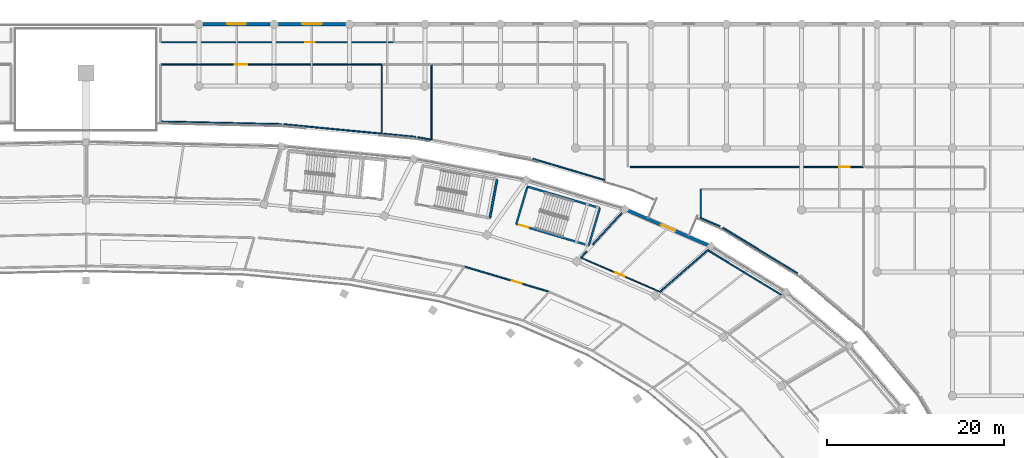
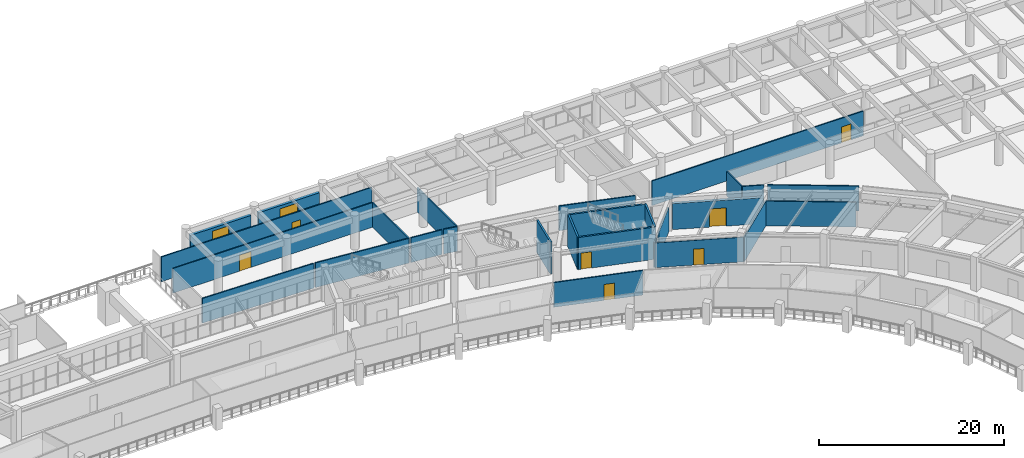
# One storey, part 108 of 141: 27 walls, 7 doors, 2 windows, 9 openings.
"""IFC4 building model written with IfcOpenShell, lengths in metres."""

from ifc_helpers import new_model, si_unit, direction, frame, frame_2d, origin, place, context, subcontext, project, spatial, rectangle, extrude, material, layer, layer_set, type_object, element, fill, save


model = new_model("IFC4")

# Units and contexts
model_context = context("Model", 3, precision=1e-05, world=origin(), true_north=direction((0.0, 1.0)))
body_context = subcontext(model_context, "Body", "Model", "MODEL_VIEW")
ifc_project = project(units=[si_unit("LENGTHUNIT", "METRE"), si_unit("AREAUNIT", "SQUARE_METRE"), si_unit("VOLUMEUNIT", "CUBIC_METRE"), si_unit("PLANEANGLEUNIT", "RADIAN"), si_unit("MASSUNIT", "GRAM", prefix="KILO")], contexts=[model_context])

# Site, building, storey
site_placement = place(None, origin())
site = spatial("IfcSite", under=ifc_project, at=site_placement, CompositionType="ELEMENT")
building_placement = place(site_placement, origin())
building = spatial("IfcBuilding", under=site, at=building_placement, Name="Mphavela Belvedere Stadium", CompositionType="ELEMENT")
storey_placement = place(building_placement, frame((0.0, 0.0, 14.699951171875)))
storey = spatial("IfcBuildingStorey", under=building, at=storey_placement, Name="L03", CompositionType="ELEMENT", Elevation=14.699951171875)

# Walls
ifc_material_1 = material(Name="Concrete C40/50", Category="concrete")
ifc_layer_1 = layer(ifc_material_1, 0.219970703125)
ifc_layer_set_1 = layer_set([ifc_layer_1], Name="Concrete C40/50")
wall_type_1 = type_object("IfcWallType", Name="WAL-CORE-SHEAR-220", PredefinedType="SHEAR", material=ifc_layer_set_1)
wall_1_placement = place(storey_placement, frame((164.917724609375, 155.643798828125, 0.0), z_axis=(0.0, 0.0, 1.0), x_axis=(0.958675743706, -0.284500998997, 0.0)))
element("IfcWall", 1, at=wall_1_placement, inside=storey, type_object=wall_type_1, Name="Core P01 shear wall L03 rear", PredefinedType="SHEAR", context=body_context, shape_type="SweptSolid", body=[
    extrude(rectangle(XDim=8.540283203125, YDim=0.219970703125, at=frame_2d((4.27001953125, 0.0))), origin(), (0.0, 0.0, 1.0), 4.25),
])
wall_2_placement = place(storey_placement, frame((163.6630859375, 151.416015625, 0.0), z_axis=(0.0, 0.0, 1.0), x_axis=(0.284497328872, 0.958676832861, 0.0)))
element("IfcWall", 2, at=wall_2_placement, inside=storey, type_object=wall_type_1, Name="Core P01 shear wall L03 left", PredefinedType="SHEAR", context=body_context, shape_type="SweptSolid", body=[
    extrude(rectangle(XDim=4.409912109375, YDim=0.219970703125, at=frame_2d((2.205078125, 0.0))), origin(), (0.0, 0.0, 1.0), 4.25),
])
wall_3_placement = place(storey_placement, frame((171.85009765625, 148.986083984375, 0.0), z_axis=(0.0, 0.0, 1.0), x_axis=(0.284533106789, 0.958666214665, 0.0)))
element("IfcWall", 3, at=wall_3_placement, inside=storey, type_object=wall_type_1, Name="Core P01 shear wall L03 right", PredefinedType="SHEAR", context=body_context, shape_type="SweptSolid", body=[
    extrude(rectangle(XDim=4.410400390625, YDim=0.219970703125, at=frame_2d((2.205078125, 0.0))), origin(), (0.0, 0.0, 1.0), 4.25),
])

# Wall, opening, door
wall_4_placement = place(storey_placement, frame((163.6630859375, 151.416015625, 0.0), z_axis=(0.0, 0.0, 1.0), x_axis=(0.958665631999, -0.284535069937, 0.0)))
wall_4 = element("IfcWall", 4, at=wall_4_placement, inside=storey, type_object=wall_type_1, Name="Core P01 shear wall L03 front", PredefinedType="SHEAR", context=body_context, shape_type="SweptSolid", body=[
    extrude(rectangle(XDim=8.5400390625, YDim=0.219970703125, at=frame_2d((4.27001953125, 0.0))), origin(), (0.0, 0.0, 1.0), 4.25),
])
opening_1_placement = place(wall_4_placement, frame((0.300048828125, 0.0, 0.0)))
opening_1 = element("IfcOpeningElement", 5, at=opening_1_placement, cuts=wall_4, Name="Opening SD-070", PredefinedType="OPENING", context=body_context, shape_type="SweptSolid", body=[
    extrude(rectangle(XDim=1.14990234375, YDim=2.14990234375, at=frame_2d((0.574951171875, 1.074951171875))), frame((0.0, 0.1201171875, 0.0), z_axis=(0.0, -1.0, 0.0), x_axis=(1.0, 0.0, 0.0)), (0.0, 0.0, 1.0), 0.239990234375),
])
ifc_material_2 = material(Name="Steel acoustic fire-resisting stair doorset", Category="steel")
door_type_1 = type_object("IfcDoorType", Name="DR-STAIR-FIRE-1150", OperationType="NOTDEFINED", PredefinedType="DOOR", material=ifc_material_2)
door_1_placement = place(opening_1_placement, origin())
door_1 = element("IfcDoor", 6, at=door_1_placement, inside=storey, type_object=door_type_1, Name="Escape stair fire door P01 L03", OperationType="SINGLE_SWING_RIGHT", OverallHeight=2.14990234375, OverallWidth=1.14990234375, PredefinedType="DOOR", context=body_context, shape_type="SweptSolid", body=[
    extrude(rectangle(XDim=1.14990234375, YDim=2.14990234375, at=frame_2d((0.574951171875, 1.074951171875))), frame((0.0, 0.02490234375, 0.0), z_axis=(0.0, -1.0, 0.0), x_axis=(1.0, 0.0, 0.0)), (0.0, 0.0, 1.0), 0.050048828125),
])
fill(opening_1, door_1)

# Wall
wall_5_placement = place(storey_placement, frame((160.674072265625, 152.1025390625, 0.0), z_axis=(0.0, 0.0, 1.0), x_axis=(0.183078394814, 0.983098317236, 0.0)))
element("IfcWall", 7, at=wall_5_placement, inside=storey, type_object=wall_type_1, Name="Core P02 shear wall L03 right", PredefinedType="SHEAR", context=body_context, shape_type="SweptSolid", body=[
    extrude(rectangle(XDim=4.409912109375, YDim=0.219970703125, at=frame_2d((2.205078125, 0.0))), origin(), (0.0, 0.0, 1.0), 4.25),
])

# Wall, opening, door
ifc_material_3 = material(Name="Honed ashlar limestone masonry", Category="masonry")
ifc_layer_2 = layer(ifc_material_3, 0.35009765625)
ifc_layer_set_2 = layer_set([ifc_layer_2], Name="Honed ashlar limestone masonry")
wall_type_2 = type_object("IfcWallType", Name="WAL-EXT-ASHLAR-350", PredefinedType="STANDARD", material=ifc_layer_set_2)
wall_6_placement = place(storey_placement, frame((176.27978515625, 152.94287109375, 0.0), z_axis=(0.0, 0.0, 1.0), x_axis=(0.917502782842, -0.397729359587, 0.0)))
wall_6 = element("IfcWall", 8, at=wall_6_placement, inside=storey, type_object=wall_type_2, Name="Classical link portal wall L03-08", PredefinedType="STANDARD", context=body_context, shape_type="SweptSolid", body=[
    extrude(rectangle(XDim=9.89013671875, YDim=0.35009765625, at=frame_2d((4.945068359375, 0.0))), origin(), (0.0, 0.0, 1.0), 3.420166015625),
])
opening_2_placement = place(wall_6_placement, frame((4.045166015625, 0.0, 0.0)))
opening_2 = element("IfcOpeningElement", 9, at=opening_2_placement, cuts=wall_6, Name="Opening ID-9307", PredefinedType="OPENING", context=body_context, shape_type="SweptSolid", body=[
    extrude(rectangle(XDim=1.800048828125, YDim=2.39990234375, at=frame_2d((0.89990234375, 1.199951171875))), frame((0.0, 0.18505859375, 0.0), z_axis=(0.0, -1.0, 0.0), x_axis=(1.0, 0.0, 0.0)), (0.0, 0.0, 1.0), 0.3701171875),
])
ifc_material_4 = material(Name="Glazed bronze-anodised steel exit doorset", Category="steel")
door_type_2 = type_object("IfcDoorType", Name="DR-EXT-01", OperationType="NOTDEFINED", PredefinedType="DOOR", material=ifc_material_4)
door_2_placement = place(opening_2_placement, origin())
door_2 = element("IfcDoor", 10, at=door_2_placement, inside=storey, type_object=door_type_2, Name="Wing promenade link doorset L03-08", OperationType="DOUBLE_DOOR_SINGLE_SWING", OverallHeight=2.39990234375, OverallWidth=1.800048828125, PredefinedType="DOOR", context=body_context, shape_type="SweptSolid", body=[
    extrude(rectangle(XDim=1.800048828125, YDim=2.39990234375, at=frame_2d((0.89990234375, 1.199951171875))), frame((0.0, 0.02490234375, 0.0), z_axis=(0.0, -1.0, 0.0), x_axis=(1.0, 0.0, 0.0)), (0.0, 0.0, 1.0), 0.050048828125),
])
fill(opening_2, door_2)

# Wall, opening, window
wall_7_placement = place(storey_placement, frame((128.2509765625, 174.0, 0.0), z_axis=(0.0, 0.0, 1.0), x_axis=(1.0, 0.0, 0.0)))
wall_7 = element("IfcWall", 11, at=wall_7_placement, inside=storey, type_object=wall_type_2, Name="North Mast and Ceremonial End Forecourt outer facade bay L03-16", PredefinedType="STANDARD", context=body_context, shape_type="SweptSolid", body=[
    extrude(rectangle(XDim=7.572021484375, YDim=0.35009765625, at=frame_2d((3.7861328125, 0.0))), origin(), (0.0, 0.0, 1.0), 3.260009765625),
])
opening_3_placement = place(wall_7_placement, frame((2.74609375, 0.0, 0.89990234375)))
opening_3 = element("IfcOpeningElement", 12, at=opening_3_placement, cuts=wall_7, Name="Opening W-206", PredefinedType="OPENING", context=body_context, shape_type="SweptSolid", body=[
    extrude(rectangle(XDim=2.080078125, YDim=1.949951171875, at=frame_2d((1.0400390625, 0.97509765625))), frame((0.0, 0.18505859375, 0.0), z_axis=(0.0, -1.0, 0.0), x_axis=(1.0, 0.0, 0.0)), (0.0, 0.0, 1.0), 0.3701171875),
])
ifc_material_5 = material(Name="Bronze-anodised thermally broken aluminium window", Category="aluminium")
window_type_1 = type_object("IfcWindowType", Name="WIN-EXT-30", PartitioningType="SINGLE_PANEL", PredefinedType="WINDOW", material=ifc_material_5)
window_1_placement = place(opening_3_placement, origin())
window_1 = element("IfcWindow", 13, at=window_1_placement, inside=storey, type_object=window_type_1, Name="North Mast and Ceremonial End Forecourt classical window W-206", OverallHeight=1.949951171875, OverallWidth=2.080078125, PartitioningType="SINGLE_PANEL", PredefinedType="WINDOW", context=body_context, shape_type="SweptSolid", body=[
    extrude(rectangle(XDim=2.080078125, YDim=1.949951171875, at=frame_2d((1.0400390625, 0.97509765625))), frame((0.0, 0.030029296875, 0.0), z_axis=(0.0, -1.0, 0.0), x_axis=(1.0, 0.0, 0.0)), (0.0, 0.0, 1.0), 0.06005859375),
])
fill(opening_3, window_1)

wall_8_placement = place(storey_placement, frame((136.76904296875, 174.0, 0.0), z_axis=(0.0, 0.0, 1.0), x_axis=(1.0, 0.0, 0.0)))
wall_8 = element("IfcWall", 14, at=wall_8_placement, inside=storey, type_object=wall_type_2, Name="North Mast and Ceremonial End Forecourt outer facade bay L03-17", PredefinedType="STANDARD", context=body_context, shape_type="SweptSolid", body=[
    extrude(rectangle(XDim=7.572998046875, YDim=0.35009765625, at=frame_2d((3.78662109375, 0.0))), origin(), (0.0, 0.0, 1.0), 3.260009765625),
])
opening_4_placement = place(wall_8_placement, frame((2.676513671875, 0.0, 0.89990234375)))
opening_4 = element("IfcOpeningElement", 15, at=opening_4_placement, cuts=wall_8, Name="Opening W-207", PredefinedType="OPENING", context=body_context, shape_type="SweptSolid", body=[
    extrude(rectangle(XDim=2.219970703125, YDim=1.949951171875, at=frame_2d((1.10986328125, 0.97509765625))), frame((0.0, 0.18505859375, 0.0), z_axis=(0.0, -1.0, 0.0), x_axis=(1.0, 0.0, 0.0)), (0.0, 0.0, 1.0), 0.3701171875),
])
ifc_material_6 = material(Name="Bronze-anodised thermally broken aluminium window", Category="aluminium")
window_type_2 = type_object("IfcWindowType", Name="WIN-EXT-31", PartitioningType="SINGLE_PANEL", PredefinedType="WINDOW", material=ifc_material_6)
window_2_placement = place(opening_4_placement, origin())
window_2 = element("IfcWindow", 16, at=window_2_placement, inside=storey, type_object=window_type_2, Name="North Mast and Ceremonial End Forecourt classical window W-207", OverallHeight=1.949951171875, OverallWidth=2.219970703125, PartitioningType="SINGLE_PANEL", PredefinedType="WINDOW", context=body_context, shape_type="SweptSolid", body=[
    extrude(rectangle(XDim=2.219970703125, YDim=1.949951171875, at=frame_2d((1.10986328125, 0.97509765625))), frame((0.0, 0.030029296875, 0.0), z_axis=(0.0, -1.0, 0.0), x_axis=(1.0, 0.0, 0.0)), (0.0, 0.0, 1.0), 0.06005859375),
])
fill(opening_4, window_2)

# Wall, opening, door
ifc_material_7 = material(Name="Moisture-resistant sanitary partition assembly")
ifc_layer_3 = layer(ifc_material_7, 0.125)
ifc_layer_set_3 = layer_set([ifc_layer_3], Name="Moisture-resistant sanitary partition assembly")
wall_type_3 = type_object("IfcWallType", Name="WAL-PART-125", PredefinedType="PARTITIONING", material=ifc_layer_set_3)
wall_9_placement = place(storey_placement, frame((179.81982421875, 143.772216796875, 0.0), z_axis=(0.0, 0.0, 1.0), x_axis=(-0.917508957037, 0.39771511633, 0.0)))
wall_9 = element("IfcWall", 17, at=wall_9_placement, inside=storey, type_object=wall_type_3, Name="Room L03-56 corridor partition", PredefinedType="PARTITIONING", context=body_context, shape_type="SweptSolid", body=[
    extrude(rectangle(XDim=9.67138671875, YDim=0.125, at=frame_2d((4.835693359375, 0.0))), origin(), (0.0, 0.0, 1.0), 3.25),
])
opening_5_placement = place(wall_9_placement, frame((4.28564453125, 0.0, 0.0)))
opening_5 = element("IfcOpeningElement", 18, at=opening_5_placement, cuts=wall_9, Name="Opening ID-258", PredefinedType="OPENING", context=body_context, shape_type="SweptSolid", body=[
    extrude(rectangle(XDim=1.10009765625, YDim=2.10009765625, at=frame_2d((0.550048828125, 1.050048828125))), frame((0.0, 0.072509765625, 0.0), z_axis=(0.0, -1.0, 0.0), x_axis=(1.0, 0.0, 0.0)), (0.0, 0.0, 1.0), 0.14501953125),
])
ifc_material_8 = material(Name="Hardwood acoustic timber doorset", Category="wood")
door_type_3 = type_object("IfcDoorType", Name="DR-INT-06", OperationType="NOTDEFINED", PredefinedType="DOOR", material=ifc_material_8)
door_3_placement = place(opening_5_placement, origin())
door_3 = element("IfcDoor", 19, at=door_3_placement, inside=storey, type_object=door_type_3, Name="Room L03-56 entrance door ID-258", OperationType="SINGLE_SWING_RIGHT", OverallHeight=2.10009765625, OverallWidth=1.10009765625, PredefinedType="DOOR", context=body_context, shape_type="SweptSolid", body=[
    extrude(rectangle(XDim=1.10009765625, YDim=2.10009765625, at=frame_2d((0.550048828125, 1.050048828125))), frame((0.0, 0.02490234375, 0.0), z_axis=(0.0, -1.0, 0.0), x_axis=(1.0, 0.0, 0.0)), (0.0, 0.0, 1.0), 0.050048828125),
])
fill(opening_5, door_3)

wall_10_placement = place(storey_placement, frame((123.5, 169.43994140625, 0.0), z_axis=(0.0, 0.0, 1.0), x_axis=(1.0, 0.0, 0.0)))
wall_10 = element("IfcWall", 20, at=wall_10_placement, inside=storey, type_object=wall_type_3, Name="Room L03-189 corridor partition", PredefinedType="PARTITIONING", context=body_context, shape_type="SweptSolid", body=[
    extrude(rectangle(XDim=24.945068359375, YDim=0.125, at=frame_2d((12.47265625, 0.0))), origin(), (0.0, 0.0, 1.0), 3.25),
])
opening_6_placement = place(wall_10_placement, frame((8.336669921875, 0.0, 0.0)))
opening_6 = element("IfcOpeningElement", 21, at=opening_6_placement, cuts=wall_10, Name="Opening ID-480", PredefinedType="OPENING", context=body_context, shape_type="SweptSolid", body=[
    extrude(rectangle(XDim=1.39990234375, YDim=2.10009765625, at=frame_2d((0.699951171875, 1.050048828125))), frame((0.0, 0.072509765625, 0.0), z_axis=(0.0, -1.0, 0.0), x_axis=(1.0, 0.0, 0.0)), (0.0, 0.0, 1.0), 0.14501953125),
])
ifc_material_9 = material(Name="Hardwood acoustic timber doorset", Category="wood")
door_type_4 = type_object("IfcDoorType", Name="DR-INT-12", OperationType="NOTDEFINED", PredefinedType="DOOR", material=ifc_material_9)
door_4_placement = place(opening_6_placement, origin())
door_4 = element("IfcDoor", 22, at=door_4_placement, inside=storey, type_object=door_type_4, Name="Room L03-189 entrance door ID-480", OperationType="SINGLE_SWING_RIGHT", OverallHeight=2.10009765625, OverallWidth=1.39990234375, PredefinedType="DOOR", context=body_context, shape_type="SweptSolid", body=[
    extrude(rectangle(XDim=1.39990234375, YDim=2.10009765625, at=frame_2d((0.699951171875, 1.050048828125))), frame((0.0, 0.02490234375, 0.0), z_axis=(0.0, -1.0, 0.0), x_axis=(1.0, 0.0, 0.0)), (0.0, 0.0, 1.0), 0.050048828125),
])
fill(opening_6, door_4)

ifc_material_10 = material(Name="Acoustic gypsum stud partition assembly")
ifc_layer_4 = layer(ifc_material_10, 0.14990234375)
ifc_layer_set_4 = layer_set([ifc_layer_4], Name="Acoustic gypsum stud partition assembly")
wall_type_4 = type_object("IfcWallType", Name="WAL-PART-150", PredefinedType="PARTITIONING", material=ifc_layer_set_4)
wall_11_placement = place(storey_placement, frame((157.816650390625, 146.595703125, 0.0), z_axis=(0.0, 0.0, 1.0), x_axis=(0.958655809656, -0.284568161629, 0.0)))
wall_11 = element("IfcWall", 23, at=wall_11_placement, inside=storey, type_object=wall_type_4, Name="Room L03-58 corridor partition", PredefinedType="PARTITIONING", context=body_context, shape_type="SweptSolid", body=[
    extrude(rectangle(XDim=9.89111328125, YDim=0.14990234375, at=frame_2d((4.945556640625, 0.0))), origin(), (0.0, 0.0, 1.0), 3.25),
])
opening_7_placement = place(wall_11_placement, frame((5.59228515625, 0.0, 0.0)))
opening_7 = element("IfcOpeningElement", 24, at=opening_7_placement, cuts=wall_11, Name="Opening ID-259", PredefinedType="OPENING", context=body_context, shape_type="SweptSolid", body=[
    extrude(rectangle(XDim=1.139892578125, YDim=2.10009765625, at=frame_2d((0.56982421875, 1.050048828125))), frame((0.0, 0.0849609375, 0.0), z_axis=(0.0, -1.0, 0.0), x_axis=(1.0, 0.0, 0.0)), (0.0, 0.0, 1.0), 0.169921875),
])
ifc_material_11 = material(Name="Hardwood acoustic timber doorset", Category="wood")
door_type_5 = type_object("IfcDoorType", Name="DR-INT-07", OperationType="NOTDEFINED", PredefinedType="DOOR", material=ifc_material_11)
door_5_placement = place(opening_7_placement, origin())
door_5 = element("IfcDoor", 25, at=door_5_placement, inside=storey, type_object=door_type_5, Name="Room L03-58 entrance door ID-259", OperationType="SINGLE_SWING_LEFT", OverallHeight=2.10009765625, OverallWidth=1.139892578125, PredefinedType="DOOR", context=body_context, shape_type="SweptSolid", body=[
    extrude(rectangle(XDim=1.139892578125, YDim=2.10009765625, at=frame_2d((0.56982421875, 1.050048828125))), frame((0.0, 0.02490234375, 0.0), z_axis=(0.0, -1.0, 0.0), x_axis=(1.0, 0.0, 0.0)), (0.0, 0.0, 1.0), 0.050048828125),
])
fill(opening_7, door_5)

wall_12_placement = place(storey_placement, frame((149.800048828125, 171.9599609375, 0.0), z_axis=(0.0, 0.0, 1.0), x_axis=(-1.0, 0.0, 0.0)))
wall_12 = element("IfcWall", 26, at=wall_12_placement, inside=storey, type_object=wall_type_4, Name="Room L03-182 corridor partition", PredefinedType="PARTITIONING", context=body_context, shape_type="SweptSolid", body=[
    extrude(rectangle(XDim=26.300048828125, YDim=0.14990234375, at=frame_2d((13.14990234375, 0.0))), origin(), (0.0, 0.0, 1.0), 3.25),
])
opening_8_placement = place(wall_12_placement, frame((8.929931640625, 0.0, 0.0)))
opening_8 = element("IfcOpeningElement", 27, at=opening_8_placement, cuts=wall_12, Name="Opening ID-473", PredefinedType="OPENING", context=body_context, shape_type="SweptSolid", body=[
    extrude(rectangle(XDim=1.06005859375, YDim=2.10009765625, at=frame_2d((0.530029296875, 1.050048828125))), frame((0.0, 0.0849609375, 0.0), z_axis=(0.0, -1.0, 0.0), x_axis=(1.0, 0.0, 0.0)), (0.0, 0.0, 1.0), 0.169921875),
])
ifc_material_12 = material(Name="Hardwood acoustic timber doorset", Category="wood")
door_type_6 = type_object("IfcDoorType", Name="DR-INT-05", OperationType="NOTDEFINED", PredefinedType="DOOR", material=ifc_material_12)
door_6_placement = place(opening_8_placement, origin())
door_6 = element("IfcDoor", 28, at=door_6_placement, inside=storey, type_object=door_type_6, Name="Room L03-182 entrance door ID-473", OperationType="SINGLE_SWING_LEFT", OverallHeight=2.10009765625, OverallWidth=1.06005859375, PredefinedType="DOOR", context=body_context, shape_type="SweptSolid", body=[
    extrude(rectangle(XDim=1.06005859375, YDim=2.10009765625, at=frame_2d((0.530029296875, 1.050048828125))), frame((0.0, 0.02490234375, 0.0), z_axis=(0.0, -1.0, 0.0), x_axis=(1.0, 0.0, 0.0)), (0.0, 0.0, 1.0), 0.050048828125),
])
fill(opening_8, door_6)

wall_13_placement = place(storey_placement, frame((202.89990234375, 157.860107421875, 0.0), z_axis=(0.0, 0.0, 1.0), x_axis=(-1.0, 0.0, 0.0)))
wall_13 = element("IfcWall", 29, at=wall_13_placement, inside=storey, type_object=wall_type_4, Name="Room L03-185 corridor partition", PredefinedType="PARTITIONING", context=body_context, shape_type="SweptSolid", body=[
    extrude(rectangle(XDim=26.349853515625, YDim=0.14990234375, at=frame_2d((13.1748046875, 0.0))), origin(), (0.0, 0.0, 1.0), 3.25),
])
opening_9_placement = place(wall_13_placement, frame((1.54638671875, 0.0, 0.0)))
opening_9 = element("IfcOpeningElement", 30, at=opening_9_placement, cuts=wall_13, Name="Opening ID-476", PredefinedType="OPENING", context=body_context, shape_type="SweptSolid", body=[
    extrude(rectangle(XDim=1.179931640625, YDim=2.10009765625, at=frame_2d((0.58984375, 1.050048828125))), frame((0.0, 0.0849609375, 0.0), z_axis=(0.0, -1.0, 0.0), x_axis=(1.0, 0.0, 0.0)), (0.0, 0.0, 1.0), 0.169921875),
])
ifc_material_13 = material(Name="Hardwood acoustic timber doorset", Category="wood")
door_type_7 = type_object("IfcDoorType", Name="DR-INT-08", OperationType="NOTDEFINED", PredefinedType="DOOR", material=ifc_material_13)
door_7_placement = place(opening_9_placement, origin())
door_7 = element("IfcDoor", 31, at=door_7_placement, inside=storey, type_object=door_type_7, Name="Room L03-185 entrance door ID-476", OperationType="SINGLE_SWING_RIGHT", OverallHeight=2.10009765625, OverallWidth=1.179931640625, PredefinedType="DOOR", context=body_context, shape_type="SweptSolid", body=[
    extrude(rectangle(XDim=1.179931640625, YDim=2.10009765625, at=frame_2d((0.58984375, 1.050048828125))), frame((0.0, 0.02490234375, 0.0), z_axis=(0.0, -1.0, 0.0), x_axis=(1.0, 0.0, 0.0)), (0.0, 0.0, 1.0), 0.050048828125),
])
fill(opening_9, door_7)

# Walls
wall_14_placement = place(storey_placement, frame((179.89453125, 143.731201171875, 0.0), z_axis=(0.0, 0.0, 1.0), x_axis=(0.752564061831, 0.658519045162, 0.0)))
element("IfcWall", 32, at=wall_14_placement, inside=storey, type_object=wall_type_4, Name="Room divider partition L03-0460", PredefinedType="PARTITIONING", context=body_context, shape_type="SweptSolid", body=[
    extrude(rectangle(XDim=7.18310546875, YDim=0.14990234375, at=frame_2d((3.591552734375, 0.0))), origin(), (0.0, 0.0, 1.0), 3.25),
])
wall_15_placement = place(storey_placement, frame((185.30029296875, 148.46142578125, 0.0), z_axis=(0.0, 0.0, 1.0), x_axis=(0.854323689683, -0.519741313777, 0.0)))
element("IfcWall", 33, at=wall_15_placement, inside=storey, type_object=wall_type_4, Name="Room divider partition L03-0461", PredefinedType="PARTITIONING", context=body_context, shape_type="SweptSolid", body=[
    extrude(rectangle(XDim=9.755859375, YDim=0.14990234375, at=frame_2d((4.8779296875, 0.0))), origin(), (0.0, 0.0, 1.0), 3.25),
])
wall_16_placement = place(storey_placement, frame((172.2861328125, 149.072021484375, 0.0), z_axis=(0.0, 0.0, 1.0), x_axis=(0.67785928919, 0.735191664846, 0.0)))
element("IfcWall", 34, at=wall_16_placement, inside=storey, type_object=wall_type_4, Name="Room divider partition L03-0464", PredefinedType="PARTITIONING", context=body_context, shape_type="SweptSolid", body=[
    extrude(rectangle(XDim=4.892822265625, YDim=0.14990234375, at=frame_2d((2.4462890625, 0.0))), origin(), (0.0, 0.0, 1.0), 3.25),
])
wall_17_placement = place(storey_placement, frame((170.9462890625, 147.61865234375, 0.0), z_axis=(0.0, 0.0, 1.0), x_axis=(0.677781704722, 0.735263191479, 0.0)))
element("IfcWall", 35, at=wall_17_placement, inside=storey, type_object=wall_type_4, Name="Room divider partition L03-0465", PredefinedType="PARTITIONING", context=body_context, shape_type="SweptSolid", body=[
    extrude(rectangle(XDim=0.976806640625, YDim=0.14990234375, at=frame_2d((0.48828125, 0.0))), origin(), (0.0, 0.0, 1.0), 3.25),
])
wall_18_placement = place(storey_placement, frame((195.455078125, 145.850341796875, 0.0), z_axis=(0.0, 0.0, 1.0), x_axis=(-0.854333268174, 0.519725568826, 0.0)))
element("IfcWall", 36, at=wall_18_placement, inside=storey, type_object=wall_type_4, Name="Room divider partition L03-1056", PredefinedType="PARTITIONING", context=body_context, shape_type="SweptSolid", body=[
    extrude(rectangle(XDim=9.90185546875, YDim=0.14990234375, at=frame_2d((4.950927734375, 0.0))), origin(), (0.0, 0.0, 1.0), 3.25),
])
wall_19_placement = place(storey_placement, frame((186.6904296875, 151.154541015625, 0.0), z_axis=(0.0, 0.0, 1.0), x_axis=(-0.917484400903, 0.397771761314, 0.0)))
element("IfcWall", 37, at=wall_19_placement, inside=storey, type_object=wall_type_4, Name="Room divider partition L03-1057", PredefinedType="PARTITIONING", context=body_context, shape_type="SweptSolid", body=[
    extrude(rectangle(XDim=2.37646484375, YDim=0.14990234375, at=frame_2d((1.188232421875, 0.0))), origin(), (0.0, 0.0, 1.0), 3.25),
])
wall_20_placement = place(storey_placement, frame((184.510009765625, 152.099853515625, 0.0), z_axis=(0.0, 0.0, 1.0), x_axis=(0.0, 1.0, 0.0)))
element("IfcWall", 38, at=wall_20_placement, inside=storey, type_object=wall_type_4, Name="Room divider partition L03-1058", PredefinedType="PARTITIONING", context=body_context, shape_type="SweptSolid", body=[
    extrude(rectangle(XDim=3.240234375, YDim=0.14990234375, at=frame_2d((1.6201171875, 0.0))), origin(), (0.0, 0.0, 1.0), 3.25),
])
wall_21_placement = place(storey_placement, frame((137.16845703125, 162.693115234375, 0.0), z_axis=(0.0, 0.0, 1.0), x_axis=(-0.999768230535, 0.021528706714, 0.0)))
element("IfcWall", 39, at=wall_21_placement, inside=storey, type_object=wall_type_4, Name="Room divider partition L03-1076", PredefinedType="PARTITIONING", context=body_context, shape_type="SweptSolid", body=[
    extrude(rectangle(XDim=13.7216796875, YDim=0.14990234375, at=frame_2d((6.86083984375, 0.0))), origin(), (0.0, 0.0, 1.0), 3.25),
])
wall_22_placement = place(storey_placement, frame((148.445068359375, 169.43994140625, 0.0), z_axis=(0.0, 0.0, 1.0), x_axis=(0.0, -1.0, 0.0)))
element("IfcWall", 40, at=wall_22_placement, inside=storey, type_object=wall_type_4, Name="Room divider partition L03-1078", PredefinedType="PARTITIONING", context=body_context, shape_type="SweptSolid", body=[
    extrude(rectangle(XDim=7.815185546875, YDim=0.14990234375, at=frame_2d((3.90771484375, 0.0))), origin(), (0.0, 0.0, 1.0), 3.25),
])
wall_23_placement = place(storey_placement, frame((148.445068359375, 161.624755859375, 0.0), z_axis=(0.0, 0.0, 1.0), x_axis=(-0.995483944756, 0.094930057059, 0.0)))
element("IfcWall", 41, at=wall_23_placement, inside=storey, type_object=wall_type_4, Name="Room divider partition L03-1079", PredefinedType="PARTITIONING", context=body_context, shape_type="SweptSolid", body=[
    extrude(rectangle(XDim=11.1435546875, YDim=0.14990234375, at=frame_2d((5.57177734375, 0.0))), origin(), (0.0, 0.0, 1.0), 3.25),
])
wall_24_placement = place(storey_placement, frame((152.31005859375, 161.256103515625, 0.0), z_axis=(0.0, 0.0, 1.0), x_axis=(-0.995481155674, 0.094959300221, 0.0)))
element("IfcWall", 42, at=wall_24_placement, inside=storey, type_object=wall_type_4, Name="Room divider partition L03-1080", PredefinedType="PARTITIONING", context=body_context, shape_type="SweptSolid", body=[
    extrude(rectangle(XDim=3.681640625, YDim=0.14990234375, at=frame_2d((1.8408203125, 0.0))), origin(), (0.0, 0.0, 1.0), 3.25),
])
wall_25_placement = place(storey_placement, frame((154.06494140625, 169.43994140625, 0.0), z_axis=(0.0, 0.0, 1.0), x_axis=(0.0, -1.0, 0.0)))
element("IfcWall", 43, at=wall_25_placement, inside=storey, type_object=wall_type_4, Name="Room divider partition L03-1081", PredefinedType="PARTITIONING", context=body_context, shape_type="SweptSolid", body=[
    extrude(rectangle(XDim=8.50048828125, YDim=0.14990234375, at=frame_2d((4.250244140625, 0.0))), origin(), (0.0, 0.0, 1.0), 3.25),
])
wall_26_placement = place(storey_placement, frame((154.06494140625, 160.939453125, 0.0), z_axis=(0.0, 0.0, 1.0), x_axis=(-0.983110419565, 0.183013395528, 0.0)))
element("IfcWall", 44, at=wall_26_placement, inside=storey, type_object=wall_type_4, Name="Room divider partition L03-1082", PredefinedType="PARTITIONING", context=body_context, shape_type="SweptSolid", body=[
    extrude(rectangle(XDim=1.560791015625, YDim=0.14990234375, at=frame_2d((0.7802734375, 0.0))), origin(), (0.0, 0.0, 1.0), 3.25),
])
wall_27_placement = place(storey_placement, frame((173.639892578125, 156.381103515625, 0.0), z_axis=(0.0, 0.0, 1.0), x_axis=(-0.95866000112, 0.284554041006, 0.0)))
element("IfcWall", 45, at=wall_27_placement, inside=storey, type_object=wall_type_4, Name="Room divider partition L03-1084", PredefinedType="PARTITIONING", context=body_context, shape_type="SweptSolid", body=[
    extrude(rectangle(XDim=8.477783203125, YDim=0.14990234375, at=frame_2d((4.23876953125, 0.0))), origin(), (0.0, 0.0, 1.0), 3.25),
])

save(model, "model.ifc")
